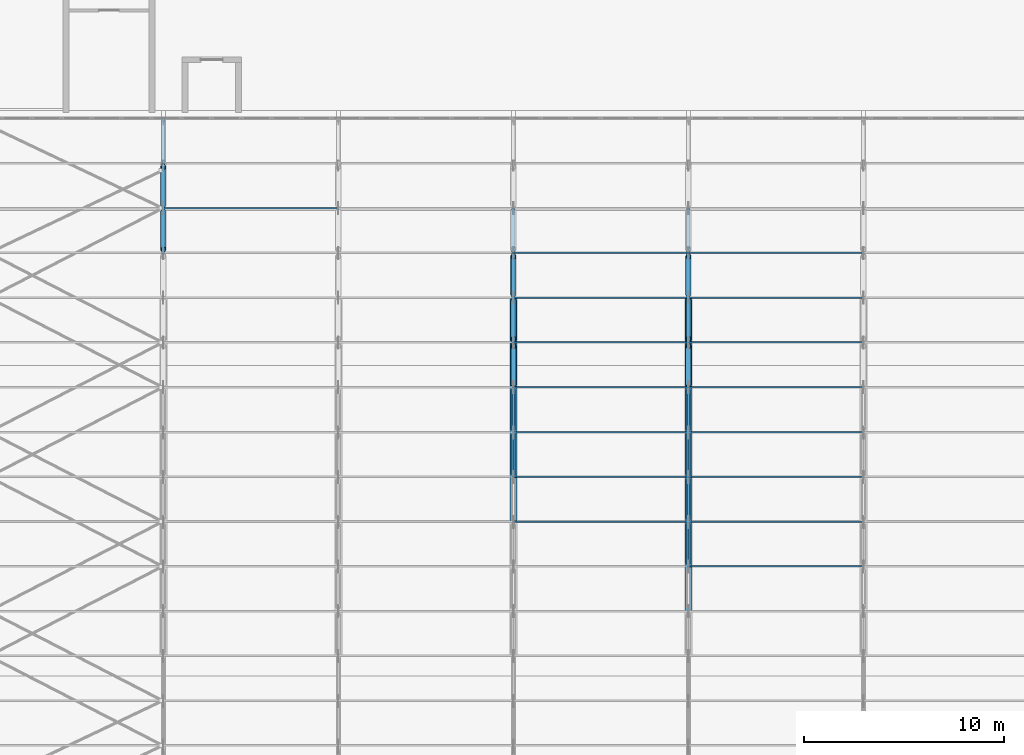
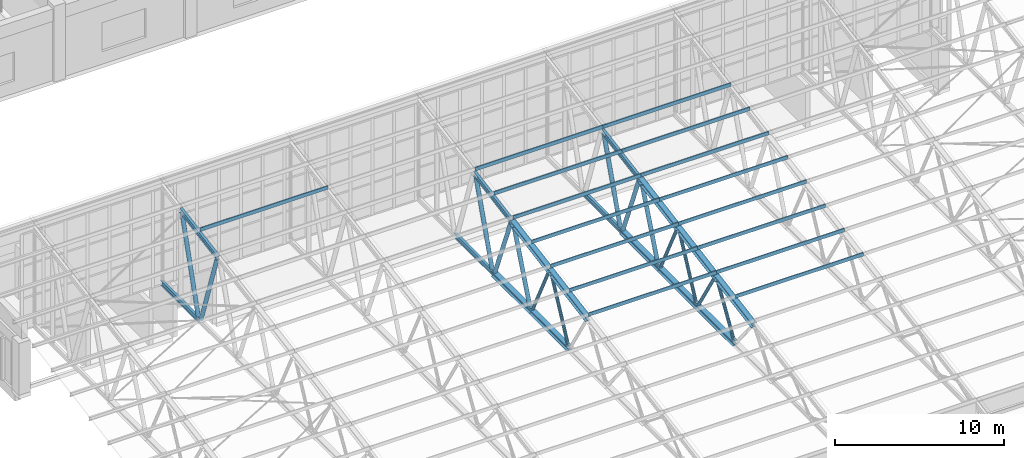
# One storey, part 53 of 185: 46 members.
"""IFC4 building model written with IfcOpenShell, lengths in metres."""

from ifc_helpers import new_model, si_unit, direction, frame, origin, origin_2d, place, context, subcontext, project, spatial, polyline, hollow_circle, i_section, outline, extrude, material, material_profile, profile_set, type_object, element, save


model = new_model("IFC4")

# Units and contexts
model_context = context("Model", 3, precision=1e-05, world=origin(), true_north=direction((0.0, 1.0)))
body_context = subcontext(model_context, "Body", "Model", "MODEL_VIEW")
ifc_project = project(units=[si_unit("LENGTHUNIT", "METRE"), si_unit("AREAUNIT", "SQUARE_METRE"), si_unit("VOLUMEUNIT", "CUBIC_METRE"), si_unit("PLANEANGLEUNIT", "RADIAN"), si_unit("MASSUNIT", "GRAM", prefix="KILO")], contexts=[model_context])

# Site, building, storey
site_placement = place(None, origin())
site = spatial("IfcSite", under=ifc_project, at=site_placement, CompositionType="ELEMENT")
building_placement = place(site_placement, origin())
building = spatial("IfcBuilding", under=site, at=building_placement, Name="Opaline Strait Convention Centre", CompositionType="ELEMENT")
storey_placement = place(building_placement, frame((0.0, 0.0, 6.0)))
storey = spatial("IfcBuildingStorey", under=building, at=storey_placement, Name="L01", CompositionType="ELEMENT", Elevation=6.0)

# Members
ifc_material = material(Name="Steel Q355B", Category="steel")
ifc_material_profile_1 = material_profile(ifc_material, outline(polyline([(-0.03759765625, -0.125), (0.03759765625, -0.125), (0.03759765625, -0.10498046875), (0.034423828125, -0.10498046875), (0.034423828125, -0.1220703125), (-0.034423828125, -0.1220703125), (-0.034423828125, 0.1220703125), (0.034423828125, 0.1220703125), (0.034423828125, 0.10498046875), (0.03759765625, 0.10498046875), (0.03759765625, 0.125), (-0.03759765625, 0.125), (-0.03759765625, -0.125)])), Name="C 250x75x20x3")
ifc_profile_set_1 = profile_set([ifc_material_profile_1], Name="Steel Q355B")
member_type_1 = type_object("IfcMemberType", Name="Roof purlin C 250x75x20x3", PredefinedType="RAFTER", material=ifc_profile_set_1)
member_1_placement = place(storey_placement, frame((323.8857421875, 40.46240234375, 7.88427734375), z_axis=(1.0, 0.0, 0.0), x_axis=(0.0, 1.0, 0.0)))
element("IfcMember", 1, at=member_1_placement, inside=storey, type_object=member_type_1, Name="BU1 purlin line 8 bay 6", PredefinedType="RAFTER", context=body_context, shape_type="SweptSolid", body=[
    extrude(outline(polyline([(-0.03759765625, -0.125), (0.03759765625, -0.125), (0.03759765625, -0.10498046875), (0.034423828125, -0.10498046875), (0.034423828125, -0.1220703125), (-0.034423828125, -0.1220703125), (-0.034423828125, 0.1220703125), (0.034423828125, 0.1220703125), (0.034423828125, 0.10498046875), (0.03759765625, 0.10498046875), (0.03759765625, 0.125), (-0.03759765625, 0.125), (-0.03759765625, -0.125)])), origin(), (0.0, 0.0, 1.0), 8.771240234375),
])
member_2_placement = place(storey_placement, frame((315.1142578125, 42.706298828125, 8.280029296875), z_axis=(1.0, 0.0, 0.0), x_axis=(0.0, 1.0, 0.0)))
element("IfcMember", 2, at=member_2_placement, inside=storey, type_object=member_type_1, Name="BU1 purlin line 9 bay 5", PredefinedType="RAFTER", context=body_context, shape_type="SweptSolid", body=[
    extrude(outline(polyline([(-0.03759765625, -0.125), (0.03759765625, -0.125), (0.03759765625, -0.10498046875), (0.034423828125, -0.10498046875), (0.034423828125, -0.1220703125), (-0.034423828125, -0.1220703125), (-0.034423828125, 0.1220703125), (0.034423828125, 0.1220703125), (0.034423828125, 0.10498046875), (0.03759765625, 0.10498046875), (0.03759765625, 0.125), (-0.03759765625, 0.125), (-0.03759765625, -0.125)])), origin(), (0.0, 0.0, 1.0), 8.771484375),
])
member_3_placement = place(storey_placement, frame((323.8857421875, 42.706298828125, 8.280029296875), z_axis=(1.0, 0.0, 0.0), x_axis=(0.0, 1.0, 0.0)))
element("IfcMember", 3, at=member_3_placement, inside=storey, type_object=member_type_1, Name="BU1 purlin line 9 bay 6", PredefinedType="RAFTER", context=body_context, shape_type="SweptSolid", body=[
    extrude(outline(polyline([(-0.03759765625, -0.125), (0.03759765625, -0.125), (0.03759765625, -0.10498046875), (0.034423828125, -0.10498046875), (0.034423828125, -0.1220703125), (-0.034423828125, -0.1220703125), (-0.034423828125, 0.1220703125), (0.034423828125, 0.1220703125), (0.034423828125, 0.10498046875), (0.03759765625, 0.10498046875), (0.03759765625, 0.125), (-0.03759765625, 0.125), (-0.03759765625, -0.125)])), origin(), (0.0, 0.0, 1.0), 8.771240234375),
])
member_4_placement = place(storey_placement, frame((315.1142578125, 44.949951171875, 8.675537109375), z_axis=(1.0, 0.0, 0.0), x_axis=(0.0, 1.0, 0.0)))
element("IfcMember", 4, at=member_4_placement, inside=storey, type_object=member_type_1, Name="BU1 purlin line 10 bay 5", PredefinedType="RAFTER", context=body_context, shape_type="SweptSolid", body=[
    extrude(outline(polyline([(-0.03759765625, -0.125), (0.03759765625, -0.125), (0.03759765625, -0.10498046875), (0.034423828125, -0.10498046875), (0.034423828125, -0.1220703125), (-0.034423828125, -0.1220703125), (-0.034423828125, 0.1220703125), (0.034423828125, 0.1220703125), (0.034423828125, 0.10498046875), (0.03759765625, 0.10498046875), (0.03759765625, 0.125), (-0.03759765625, 0.125), (-0.03759765625, -0.125)])), origin(), (0.0, 0.0, 1.0), 8.771484375),
])
member_5_placement = place(storey_placement, frame((323.8857421875, 44.949951171875, 8.675537109375), z_axis=(1.0, 0.0, 0.0), x_axis=(0.0, 1.0, 0.0)))
element("IfcMember", 5, at=member_5_placement, inside=storey, type_object=member_type_1, Name="BU1 purlin line 10 bay 6", PredefinedType="RAFTER", context=body_context, shape_type="SweptSolid", body=[
    extrude(outline(polyline([(-0.03759765625, -0.125), (0.03759765625, -0.125), (0.03759765625, -0.10498046875), (0.034423828125, -0.10498046875), (0.034423828125, -0.1220703125), (-0.034423828125, -0.1220703125), (-0.034423828125, 0.1220703125), (0.034423828125, 0.1220703125), (0.034423828125, 0.10498046875), (0.03759765625, 0.10498046875), (0.03759765625, 0.125), (-0.03759765625, 0.125), (-0.03759765625, -0.125)])), origin(), (0.0, 0.0, 1.0), 8.771240234375),
])
member_6_placement = place(storey_placement, frame((315.1142578125, 47.19384765625, 9.0712890625), z_axis=(1.0, 0.0, 0.0), x_axis=(0.0, 1.0, 0.0)))
element("IfcMember", 6, at=member_6_placement, inside=storey, type_object=member_type_1, Name="BU1 purlin line 11 bay 5", PredefinedType="RAFTER", context=body_context, shape_type="SweptSolid", body=[
    extrude(outline(polyline([(-0.03759765625, -0.125), (0.03759765625, -0.125), (0.03759765625, -0.10498046875), (0.034423828125, -0.10498046875), (0.034423828125, -0.1220703125), (-0.034423828125, -0.1220703125), (-0.034423828125, 0.1220703125), (0.034423828125, 0.1220703125), (0.034423828125, 0.10498046875), (0.03759765625, 0.10498046875), (0.03759765625, 0.125), (-0.03759765625, 0.125), (-0.03759765625, -0.125)])), origin(), (0.0, 0.0, 1.0), 8.771484375),
])
member_7_placement = place(storey_placement, frame((323.8857421875, 47.19384765625, 9.0712890625), z_axis=(1.0, 0.0, 0.0), x_axis=(0.0, 1.0, 0.0)))
element("IfcMember", 7, at=member_7_placement, inside=storey, type_object=member_type_1, Name="BU1 purlin line 11 bay 6", PredefinedType="RAFTER", context=body_context, shape_type="SweptSolid", body=[
    extrude(outline(polyline([(-0.03759765625, -0.125), (0.03759765625, -0.125), (0.03759765625, -0.10498046875), (0.034423828125, -0.10498046875), (0.034423828125, -0.1220703125), (-0.034423828125, -0.1220703125), (-0.034423828125, 0.1220703125), (0.034423828125, 0.1220703125), (0.034423828125, 0.10498046875), (0.03759765625, 0.10498046875), (0.03759765625, 0.125), (-0.03759765625, 0.125), (-0.03759765625, -0.125)])), origin(), (0.0, 0.0, 1.0), 8.771240234375),
])
member_8_placement = place(storey_placement, frame((315.1142578125, 49.4375, 9.467041015625), z_axis=(1.0, 0.0, 0.0), x_axis=(0.0, 1.0, 0.0)))
element("IfcMember", 8, at=member_8_placement, inside=storey, type_object=member_type_1, Name="BU1 purlin line 12 bay 5", PredefinedType="RAFTER", context=body_context, shape_type="SweptSolid", body=[
    extrude(outline(polyline([(-0.03759765625, -0.125), (0.03759765625, -0.125), (0.03759765625, -0.10498046875), (0.034423828125, -0.10498046875), (0.034423828125, -0.1220703125), (-0.034423828125, -0.1220703125), (-0.034423828125, 0.1220703125), (0.034423828125, 0.1220703125), (0.034423828125, 0.10498046875), (0.03759765625, 0.10498046875), (0.03759765625, 0.125), (-0.03759765625, 0.125), (-0.03759765625, -0.125)])), origin(), (0.0, 0.0, 1.0), 8.771484375),
])
member_9_placement = place(storey_placement, frame((323.8857421875, 49.4375, 9.467041015625), z_axis=(1.0, 0.0, 0.0), x_axis=(0.0, 1.0, 0.0)))
element("IfcMember", 9, at=member_9_placement, inside=storey, type_object=member_type_1, Name="BU1 purlin line 12 bay 6", PredefinedType="RAFTER", context=body_context, shape_type="SweptSolid", body=[
    extrude(outline(polyline([(-0.03759765625, -0.125), (0.03759765625, -0.125), (0.03759765625, -0.10498046875), (0.034423828125, -0.10498046875), (0.034423828125, -0.1220703125), (-0.034423828125, -0.1220703125), (-0.034423828125, 0.1220703125), (0.034423828125, 0.1220703125), (0.034423828125, 0.10498046875), (0.03759765625, 0.10498046875), (0.03759765625, 0.125), (-0.03759765625, 0.125), (-0.03759765625, -0.125)])), origin(), (0.0, 0.0, 1.0), 8.771240234375),
])
member_10_placement = place(storey_placement, frame((315.1142578125, 51.68115234375, 9.862548828125), z_axis=(1.0, 0.0, 0.0), x_axis=(0.0, 1.0, 0.0)))
element("IfcMember", 10, at=member_10_placement, inside=storey, type_object=member_type_1, Name="BU1 purlin line 13 bay 5", PredefinedType="RAFTER", context=body_context, shape_type="SweptSolid", body=[
    extrude(outline(polyline([(-0.03759765625, -0.125), (0.03759765625, -0.125), (0.03759765625, -0.10498046875), (0.034423828125, -0.10498046875), (0.034423828125, -0.1220703125), (-0.034423828125, -0.1220703125), (-0.034423828125, 0.1220703125), (0.034423828125, 0.1220703125), (0.034423828125, 0.10498046875), (0.03759765625, 0.10498046875), (0.03759765625, 0.125), (-0.03759765625, 0.125), (-0.03759765625, -0.125)])), origin(), (0.0, 0.0, 1.0), 8.771484375),
])
member_11_placement = place(storey_placement, frame((323.8857421875, 51.68115234375, 9.862548828125), z_axis=(1.0, 0.0, 0.0), x_axis=(0.0, 1.0, 0.0)))
element("IfcMember", 11, at=member_11_placement, inside=storey, type_object=member_type_1, Name="BU1 purlin line 13 bay 6", PredefinedType="RAFTER", context=body_context, shape_type="SweptSolid", body=[
    extrude(outline(polyline([(-0.03759765625, -0.125), (0.03759765625, -0.125), (0.03759765625, -0.10498046875), (0.034423828125, -0.10498046875), (0.034423828125, -0.1220703125), (-0.034423828125, -0.1220703125), (-0.034423828125, 0.1220703125), (0.034423828125, 0.1220703125), (0.034423828125, 0.10498046875), (0.03759765625, 0.10498046875), (0.03759765625, 0.125), (-0.03759765625, 0.125), (-0.03759765625, -0.125)])), origin(), (0.0, 0.0, 1.0), 8.771240234375),
])
member_12_placement = place(storey_placement, frame((315.1142578125, 53.925048828125, 10.25830078125), z_axis=(1.0, 0.0, 0.0), x_axis=(0.0, 1.0, 0.0)))
element("IfcMember", 12, at=member_12_placement, inside=storey, type_object=member_type_1, Name="BU1 purlin line 14 bay 5", PredefinedType="RAFTER", context=body_context, shape_type="SweptSolid", body=[
    extrude(outline(polyline([(-0.03759765625, -0.125), (0.03759765625, -0.125), (0.03759765625, -0.10498046875), (0.034423828125, -0.10498046875), (0.034423828125, -0.1220703125), (-0.034423828125, -0.1220703125), (-0.034423828125, 0.1220703125), (0.034423828125, 0.1220703125), (0.034423828125, 0.10498046875), (0.03759765625, 0.10498046875), (0.03759765625, 0.125), (-0.03759765625, 0.125), (-0.03759765625, -0.125)])), origin(), (0.0, 0.0, 1.0), 8.771484375),
])
member_13_placement = place(storey_placement, frame((323.8857421875, 53.925048828125, 10.25830078125), z_axis=(1.0, 0.0, 0.0), x_axis=(0.0, 1.0, 0.0)))
element("IfcMember", 13, at=member_13_placement, inside=storey, type_object=member_type_1, Name="BU1 purlin line 14 bay 6", PredefinedType="RAFTER", context=body_context, shape_type="SweptSolid", body=[
    extrude(outline(polyline([(-0.03759765625, -0.125), (0.03759765625, -0.125), (0.03759765625, -0.10498046875), (0.034423828125, -0.10498046875), (0.034423828125, -0.1220703125), (-0.034423828125, -0.1220703125), (-0.034423828125, 0.1220703125), (0.034423828125, 0.1220703125), (0.034423828125, 0.10498046875), (0.03759765625, 0.10498046875), (0.03759765625, 0.125), (-0.03759765625, 0.125), (-0.03759765625, -0.125)])), origin(), (0.0, 0.0, 1.0), 8.771240234375),
])
member_14_placement = place(storey_placement, frame((315.1142578125, 56.168701171875, 10.65380859375), z_axis=(1.0, 0.0, 0.0), x_axis=(0.0, 1.0, 0.0)))
element("IfcMember", 14, at=member_14_placement, inside=storey, type_object=member_type_1, Name="BU1 purlin line 15 bay 5", PredefinedType="RAFTER", context=body_context, shape_type="SweptSolid", body=[
    extrude(outline(polyline([(-0.03759765625, -0.125), (0.03759765625, -0.125), (0.03759765625, -0.10498046875), (0.034423828125, -0.10498046875), (0.034423828125, -0.1220703125), (-0.034423828125, -0.1220703125), (-0.034423828125, 0.1220703125), (0.034423828125, 0.1220703125), (0.034423828125, 0.10498046875), (0.03759765625, 0.10498046875), (0.03759765625, 0.125), (-0.03759765625, 0.125), (-0.03759765625, -0.125)])), origin(), (0.0, 0.0, 1.0), 8.771484375),
])
member_15_placement = place(storey_placement, frame((323.8857421875, 56.168701171875, 10.65380859375), z_axis=(1.0, 0.0, 0.0), x_axis=(0.0, 1.0, 0.0)))
element("IfcMember", 15, at=member_15_placement, inside=storey, type_object=member_type_1, Name="BU1 purlin line 15 bay 6", PredefinedType="RAFTER", context=body_context, shape_type="SweptSolid", body=[
    extrude(outline(polyline([(-0.03759765625, -0.125), (0.03759765625, -0.125), (0.03759765625, -0.10498046875), (0.034423828125, -0.10498046875), (0.034423828125, -0.1220703125), (-0.034423828125, -0.1220703125), (-0.034423828125, 0.1220703125), (0.034423828125, 0.1220703125), (0.034423828125, 0.10498046875), (0.03759765625, 0.10498046875), (0.03759765625, 0.125), (-0.03759765625, 0.125), (-0.03759765625, -0.125)])), origin(), (0.0, 0.0, 1.0), 8.771240234375),
])
member_16_placement = place(storey_placement, frame((297.5712890625, 58.41259765625, 11.049560546875), z_axis=(1.0, 0.0, 0.0), x_axis=(0.0, 1.0, 0.0)))
element("IfcMember", 16, at=member_16_placement, inside=storey, type_object=member_type_1, Name="BU1 purlin line 16 bay 3", PredefinedType="RAFTER", context=body_context, shape_type="SweptSolid", body=[
    extrude(outline(polyline([(-0.03759765625, -0.125), (0.03759765625, -0.125), (0.03759765625, -0.10498046875), (0.034423828125, -0.10498046875), (0.034423828125, -0.1220703125), (-0.034423828125, -0.1220703125), (-0.034423828125, 0.1220703125), (0.034423828125, 0.1220703125), (0.034423828125, 0.10498046875), (0.03759765625, 0.10498046875), (0.03759765625, 0.125), (-0.03759765625, 0.125), (-0.03759765625, -0.125)])), origin(), (0.0, 0.0, 1.0), 8.771728515625),
])
ifc_material_profile_2 = material_profile(ifc_material, i_section(OverallWidth=0.175048828125, OverallDepth=0.35009765625, WebThickness=0.007080078125, FlangeThickness=0.010986328125, FilletRadius=0.012939453125, at=origin_2d()), Name="HN 350x175x7x11")
ifc_profile_set_2 = profile_set([ifc_material_profile_2], Name="Steel Q355B")
member_type_2 = type_object("IfcMemberType", Name="Truss bottom chord HN 350x175x7x11", PredefinedType="CHORD", material=ifc_profile_set_2)
member_17_placement = place(storey_placement, frame((297.5712890625, 58.41259765625, 4.5), z_axis=(0.0, 1.0, 0.0), x_axis=(-1.0, 0.0, 0.0)))
element("IfcMember", 17, at=member_17_placement, inside=storey, type_object=member_type_2, Name="BT2 bottom chord line 2 panel 8", PredefinedType="CHORD", context=body_context, shape_type="SweptSolid", body=[
    extrude(i_section(OverallWidth=0.175048828125, OverallDepth=0.35009765625, WebThickness=0.007080078125, FlangeThickness=0.010986328125, FilletRadius=0.012939453125, at=origin_2d()), origin(), (0.0, 0.0, 1.0), 4.4873046875),
])
for number, where, z_axis, x_axis, name in (
    (18, (315.1142578125, 53.925048828125, 4.5), (0.0, 1.0, 0.0), (-1.0, 0.0, 0.0), "BT2 bottom chord line 4 panel 7"),
    (19, (323.8857421875, 53.925048828125, 4.5), (0.0, 1.0, 0.0), (-1.0, 0.0, 0.0), "BT2 bottom chord line 5 panel 7"),
):
    element("IfcMember", number, at=place(storey_placement, frame(where, z_axis=z_axis, x_axis=x_axis)), inside=storey, type_object=member_type_2, Name=name, PredefinedType="CHORD", context=body_context, shape_type="SweptSolid", body=[
        extrude(i_section(OverallWidth=0.175048828125, OverallDepth=0.35009765625, WebThickness=0.007080078125, FlangeThickness=0.010986328125, FilletRadius=0.012939453125, at=origin_2d()), origin(), (0.0, 0.0, 1.0), 4.487548828125),
    ])
ifc_material_profile_3 = material_profile(ifc_material, i_section(OverallWidth=0.35009765625, OverallDepth=0.35009765625, WebThickness=0.011962890625, FlangeThickness=0.01904296875, FilletRadius=0.012939453125, at=origin_2d()), Name="HW 350x350x12x19")
ifc_profile_set_3 = profile_set([ifc_material_profile_3], Name="Steel Q355B")
member_type_3 = type_object("IfcMemberType", Name="Truss bottom chord HW 350x350x12x19", PredefinedType="CHORD", material=ifc_profile_set_3)
for number, where, z_axis, x_axis, name in (
    (20, (315.1142578125, 44.949951171875, 4.5), (0.0, 1.0, 0.0), (-1.0, 0.0, 0.0), "BT4 bottom chord line 4 panel 5"),
    (21, (315.1142578125, 49.4375, 4.5), (0.0, 1.0, 0.0), (-1.0, 0.0, 0.0), "BT4 bottom chord line 4 panel 6"),
    (22, (323.8857421875, 40.46240234375, 4.5), (0.0, 1.0, 0.0), (-1.0, 0.0, 0.0), "BT4 bottom chord line 5 panel 4"),
    (23, (323.8857421875, 44.949951171875, 4.5), (0.0, 1.0, 0.0), (-1.0, 0.0, 0.0), "BT4 bottom chord line 5 panel 5"),
    (24, (323.8857421875, 49.4375, 4.5), (0.0, 1.0, 0.0), (-1.0, 0.0, 0.0), "BT4 bottom chord line 5 panel 6"),
):
    element("IfcMember", number, at=place(storey_placement, frame(where, z_axis=z_axis, x_axis=x_axis)), inside=storey, type_object=member_type_3, Name=name, PredefinedType="CHORD", context=body_context, shape_type="SweptSolid", body=[
        extrude(i_section(OverallWidth=0.35009765625, OverallDepth=0.35009765625, WebThickness=0.011962890625, FlangeThickness=0.01904296875, FilletRadius=0.012939453125, at=origin_2d()), origin(), (0.0, 0.0, 1.0), 4.487548828125),
    ])
ifc_material_profile_4 = material_profile(ifc_material, i_section(OverallWidth=0.175048828125, OverallDepth=0.35009765625, WebThickness=0.007080078125, FlangeThickness=0.010986328125, FilletRadius=0.012939453125, at=origin_2d()), Name="HN 350x175x7x11")
ifc_profile_set_4 = profile_set([ifc_material_profile_4], Name="Steel Q355B")
member_type_4 = type_object("IfcMemberType", Name="Truss top chord HN 350x175x7x11", PredefinedType="CHORD", material=ifc_profile_set_4)
for number, where, z_axis, x_axis, name in (
    (25, (297.5712890625, 56.168701171875, 10.34326171875), (0.0, 0.984808359847, 0.173644736101), (-1.0, 0.0, 0.0), "BT1 top chord line 2 panel 9"),
    (26, (315.1142578125, 51.68115234375, 9.552001953125), (0.0, 0.984808359847, 0.173644736101), (-1.0, 0.0, 0.0), "BT1 top chord line 4 panel 8"),
    (27, (323.8857421875, 51.68115234375, 9.552001953125), (0.0, 0.984808359847, 0.173644736101), (-1.0, 0.0, 0.0), "BT1 top chord line 5 panel 8"),
):
    element("IfcMember", number, at=place(storey_placement, frame(where, z_axis=z_axis, x_axis=x_axis)), inside=storey, type_object=member_type_4, Name=name, PredefinedType="CHORD", context=body_context, shape_type="SweptSolid", body=[
        extrude(i_section(OverallWidth=0.175048828125, OverallDepth=0.35009765625, WebThickness=0.007080078125, FlangeThickness=0.010986328125, FilletRadius=0.012939453125, at=origin_2d()), origin(), (0.0, 0.0, 1.0), 4.556884765625),
    ])
ifc_material_profile_5 = material_profile(ifc_material, i_section(OverallWidth=0.35009765625, OverallDepth=0.35009765625, WebThickness=0.011962890625, FlangeThickness=0.01904296875, FilletRadius=0.012939453125, at=origin_2d()), Name="HW 350x350x12x19")
ifc_profile_set_5 = profile_set([ifc_material_profile_5], Name="Steel Q355B")
member_type_5 = type_object("IfcMemberType", Name="Truss top chord HW 350x350x12x19", PredefinedType="CHORD", material=ifc_profile_set_5)
member_18_placement = place(storey_placement, frame((315.1142578125, 42.706298828125, 7.969482421875), z_axis=(0.0, 0.984808359847, 0.173644736101), x_axis=(-1.0, 0.0, 0.0)))
element("IfcMember", 28, at=member_18_placement, inside=storey, type_object=member_type_5, Name="BT3 top chord line 4 panel 6", PredefinedType="CHORD", context=body_context, shape_type="SweptSolid", body=[
    extrude(i_section(OverallWidth=0.35009765625, OverallDepth=0.35009765625, WebThickness=0.011962890625, FlangeThickness=0.01904296875, FilletRadius=0.012939453125, at=origin_2d()), origin(), (0.0, 0.0, 1.0), 4.556884765625),
])
member_19_placement = place(storey_placement, frame((315.1142578125, 47.19384765625, 8.7607421875), z_axis=(0.0, 0.984806744223, 0.173653898696), x_axis=(-1.0, 0.0, 0.0)))
element("IfcMember", 29, at=member_19_placement, inside=storey, type_object=member_type_5, Name="BT3 top chord line 4 panel 7", PredefinedType="CHORD", context=body_context, shape_type="SweptSolid", body=[
    extrude(i_section(OverallWidth=0.35009765625, OverallDepth=0.35009765625, WebThickness=0.011962890625, FlangeThickness=0.01904296875, FilletRadius=0.012939453125, at=origin_2d()), origin(), (0.0, 0.0, 1.0), 4.556640625),
])
for number, where, z_axis, x_axis, name in (
    (30, (323.8857421875, 38.21875, 7.17822265625), (0.0, 0.984808359847, 0.173644736101), (-1.0, 0.0, 0.0), "BT3 top chord line 5 panel 5"),
    (31, (323.8857421875, 42.706298828125, 7.969482421875), (0.0, 0.984808359847, 0.173644736101), (-1.0, 0.0, 0.0), "BT3 top chord line 5 panel 6"),
):
    element("IfcMember", number, at=place(storey_placement, frame(where, z_axis=z_axis, x_axis=x_axis)), inside=storey, type_object=member_type_5, Name=name, PredefinedType="CHORD", context=body_context, shape_type="SweptSolid", body=[
        extrude(i_section(OverallWidth=0.35009765625, OverallDepth=0.35009765625, WebThickness=0.011962890625, FlangeThickness=0.01904296875, FilletRadius=0.012939453125, at=origin_2d()), origin(), (0.0, 0.0, 1.0), 4.556884765625),
    ])
member_20_placement = place(storey_placement, frame((323.8857421875, 47.19384765625, 8.7607421875), z_axis=(0.0, 0.984806744223, 0.173653898696), x_axis=(-1.0, 0.0, 0.0)))
element("IfcMember", 32, at=member_20_placement, inside=storey, type_object=member_type_5, Name="BT3 top chord line 5 panel 7", PredefinedType="CHORD", context=body_context, shape_type="SweptSolid", body=[
    extrude(i_section(OverallWidth=0.35009765625, OverallDepth=0.35009765625, WebThickness=0.011962890625, FlangeThickness=0.01904296875, FilletRadius=0.012939453125, at=origin_2d()), origin(), (0.0, 0.0, 1.0), 4.556640625),
])
ifc_material_profile_6 = material_profile(ifc_material, hollow_circle(Radius=0.109619140625, WallThickness=0.010009765625, at=origin_2d()), Name="CHS 219x10")
ifc_profile_set_6 = profile_set([ifc_material_profile_6], Name="Steel Q355B")
member_type_6 = type_object("IfcMemberType", Name="Truss web CHS 219x10", PredefinedType="BRACE", material=ifc_profile_set_6)
member_21_placement = place(storey_placement, frame((315.1142578125, 45.102294921875, 4.678955078125), z_axis=(0.0, 0.447641909675, 0.89421290569), x_axis=(-1.0, 0.0, 0.0)))
element("IfcMember", 33, at=member_21_placement, inside=storey, type_object=member_type_6, Name="BW3 web line 4 member 9", PredefinedType="BRACE", context=body_context, shape_type="SweptSolid", body=[
    extrude(hollow_circle(Radius=0.109619140625, WallThickness=0.010009765625, at=origin_2d()), origin(), (0.0, 0.0, 1.0), 4.33154296875),
])
member_22_placement = place(storey_placement, frame((315.1142578125, 49.285400390625, 4.678955078125), z_axis=(0.0, -0.44283785295, 0.896601715364), x_axis=(1.0, 0.0, 0.0)))
element("IfcMember", 34, at=member_22_placement, inside=storey, type_object=member_type_6, Name="BW3 web line 4 member 10", PredefinedType="BRACE", context=body_context, shape_type="SweptSolid", body=[
    extrude(hollow_circle(Radius=0.109619140625, WallThickness=0.010009765625, at=origin_2d()), origin(), (0.0, 0.0, 1.0), 4.379638671875),
])
member_23_placement = place(storey_placement, frame((323.8857421875, 40.62158203125, 4.678955078125), z_axis=(0.0, 0.530004980423, 0.847994528713), x_axis=(-1.0, 0.0, 0.0)))
element("IfcMember", 35, at=member_23_placement, inside=storey, type_object=member_type_6, Name="BW3 web line 5 member 7", PredefinedType="BRACE", context=body_context, shape_type="SweptSolid", body=[
    extrude(hollow_circle(Radius=0.109619140625, WallThickness=0.010009765625, at=origin_2d()), origin(), (0.0, 0.0, 1.0), 3.633056640625),
])
member_24_placement = place(storey_placement, frame((323.8857421875, 44.79150390625, 4.678955078125), z_axis=(0.0, -0.523401596889, 0.852086127322), x_axis=(1.0, 0.0, 0.0)))
element("IfcMember", 36, at=member_24_placement, inside=storey, type_object=member_type_6, Name="BW3 web line 5 member 8", PredefinedType="BRACE", context=body_context, shape_type="SweptSolid", body=[
    extrude(hollow_circle(Radius=0.109619140625, WallThickness=0.010009765625, at=origin_2d()), origin(), (0.0, 0.0, 1.0), 3.68115234375),
])
member_25_placement = place(storey_placement, frame((323.8857421875, 45.102294921875, 4.678955078125), z_axis=(0.0, 0.447641909675, 0.89421290569), x_axis=(-1.0, 0.0, 0.0)))
element("IfcMember", 37, at=member_25_placement, inside=storey, type_object=member_type_6, Name="BW3 web line 5 member 9", PredefinedType="BRACE", context=body_context, shape_type="SweptSolid", body=[
    extrude(hollow_circle(Radius=0.109619140625, WallThickness=0.010009765625, at=origin_2d()), origin(), (0.0, 0.0, 1.0), 4.33154296875),
])
member_26_placement = place(storey_placement, frame((323.8857421875, 49.285400390625, 4.678955078125), z_axis=(0.0, -0.44283785295, 0.896601715364), x_axis=(1.0, 0.0, 0.0)))
element("IfcMember", 38, at=member_26_placement, inside=storey, type_object=member_type_6, Name="BW3 web line 5 member 10", PredefinedType="BRACE", context=body_context, shape_type="SweptSolid", body=[
    extrude(hollow_circle(Radius=0.109619140625, WallThickness=0.010009765625, at=origin_2d()), origin(), (0.0, 0.0, 1.0), 4.379638671875),
])
ifc_material_profile_7 = material_profile(ifc_material, hollow_circle(Radius=0.136474609375, WallThickness=0.011962890625, at=origin_2d()), Name="CHS 273x12")
ifc_profile_set_7 = profile_set([ifc_material_profile_7], Name="Steel Q355B")
member_type_7 = type_object("IfcMemberType", Name="Truss web CHS 273x12", PredefinedType="BRACE", material=ifc_profile_set_7)
member_27_placement = place(storey_placement, frame((297.5712890625, 58.23828125, 4.678955078125), z_axis=(0.0, -0.325083279509, 0.945685392392), x_axis=(1.0, 0.0, 0.0)))
element("IfcMember", 39, at=member_27_placement, inside=storey, type_object=member_type_7, Name="BW4 web line 2 member 14", PredefinedType="BRACE", context=body_context, shape_type="SweptSolid", body=[
    extrude(hollow_circle(Radius=0.136474609375, WallThickness=0.011962890625, at=origin_2d()), origin(), (0.0, 0.0, 1.0), 5.830078125),
])
member_28_placement = place(storey_placement, frame((297.5712890625, 58.585205078125, 4.678955078125), z_axis=(0.0, 0.290918943534, 0.956747703574), x_axis=(-1.0, 0.0, 0.0)))
element("IfcMember", 40, at=member_28_placement, inside=storey, type_object=member_type_7, Name="BW4 web line 2 member 15", PredefinedType="BRACE", context=body_context, shape_type="SweptSolid", body=[
    extrude(hollow_circle(Radius=0.136474609375, WallThickness=0.011962890625, at=origin_2d()), origin(), (0.0, 0.0, 1.0), 6.525634765625),
])
member_29_placement = place(storey_placement, frame((315.1142578125, 49.61474609375, 4.678955078125), z_axis=(0.0, 0.375689331062, 0.926745664423), x_axis=(-1.0, 0.0, 0.0)))
element("IfcMember", 41, at=member_29_placement, inside=storey, type_object=member_type_7, Name="BW4 web line 4 member 11", PredefinedType="BRACE", context=body_context, shape_type="SweptSolid", body=[
    extrude(hollow_circle(Radius=0.136474609375, WallThickness=0.011962890625, at=origin_2d()), origin(), (0.0, 0.0, 1.0), 5.028564453125),
])
member_30_placement = place(storey_placement, frame((315.1142578125, 53.748046875, 4.678955078125), z_axis=(0.0, -0.371547903904, 0.928413784422), x_axis=(1.0, 0.0, 0.0)))
element("IfcMember", 42, at=member_30_placement, inside=storey, type_object=member_type_7, Name="BW4 web line 4 member 12", PredefinedType="BRACE", context=body_context, shape_type="SweptSolid", body=[
    extrude(hollow_circle(Radius=0.136474609375, WallThickness=0.011962890625, at=origin_2d()), origin(), (0.0, 0.0, 1.0), 5.08642578125),
])
member_31_placement = place(storey_placement, frame((315.1142578125, 54.099365234375, 4.678955078125), z_axis=(0.0, 0.328320466783, 0.944566393162), x_axis=(-1.0, 0.0, 0.0)))
element("IfcMember", 43, at=member_31_placement, inside=storey, type_object=member_type_7, Name="BW4 web line 4 member 13", PredefinedType="BRACE", context=body_context, shape_type="SweptSolid", body=[
    extrude(hollow_circle(Radius=0.136474609375, WallThickness=0.011962890625, at=origin_2d()), origin(), (0.0, 0.0, 1.0), 5.77197265625),
])
member_32_placement = place(storey_placement, frame((323.8857421875, 49.61474609375, 4.678955078125), z_axis=(0.0, 0.375689331062, 0.926745664423), x_axis=(-1.0, 0.0, 0.0)))
element("IfcMember", 44, at=member_32_placement, inside=storey, type_object=member_type_7, Name="BW4 web line 5 member 11", PredefinedType="BRACE", context=body_context, shape_type="SweptSolid", body=[
    extrude(hollow_circle(Radius=0.136474609375, WallThickness=0.011962890625, at=origin_2d()), origin(), (0.0, 0.0, 1.0), 5.028564453125),
])
member_33_placement = place(storey_placement, frame((323.8857421875, 53.748046875, 4.678955078125), z_axis=(0.0, -0.371547903904, 0.928413784422), x_axis=(1.0, 0.0, 0.0)))
element("IfcMember", 45, at=member_33_placement, inside=storey, type_object=member_type_7, Name="BW4 web line 5 member 12", PredefinedType="BRACE", context=body_context, shape_type="SweptSolid", body=[
    extrude(hollow_circle(Radius=0.136474609375, WallThickness=0.011962890625, at=origin_2d()), origin(), (0.0, 0.0, 1.0), 5.08642578125),
])
member_34_placement = place(storey_placement, frame((323.8857421875, 54.099365234375, 4.678955078125), z_axis=(0.0, 0.328320466783, 0.944566393162), x_axis=(-1.0, 0.0, 0.0)))
element("IfcMember", 46, at=member_34_placement, inside=storey, type_object=member_type_7, Name="BW4 web line 5 member 13", PredefinedType="BRACE", context=body_context, shape_type="SweptSolid", body=[
    extrude(hollow_circle(Radius=0.136474609375, WallThickness=0.011962890625, at=origin_2d()), origin(), (0.0, 0.0, 1.0), 5.77197265625),
])

save(model, "model.ifc")
